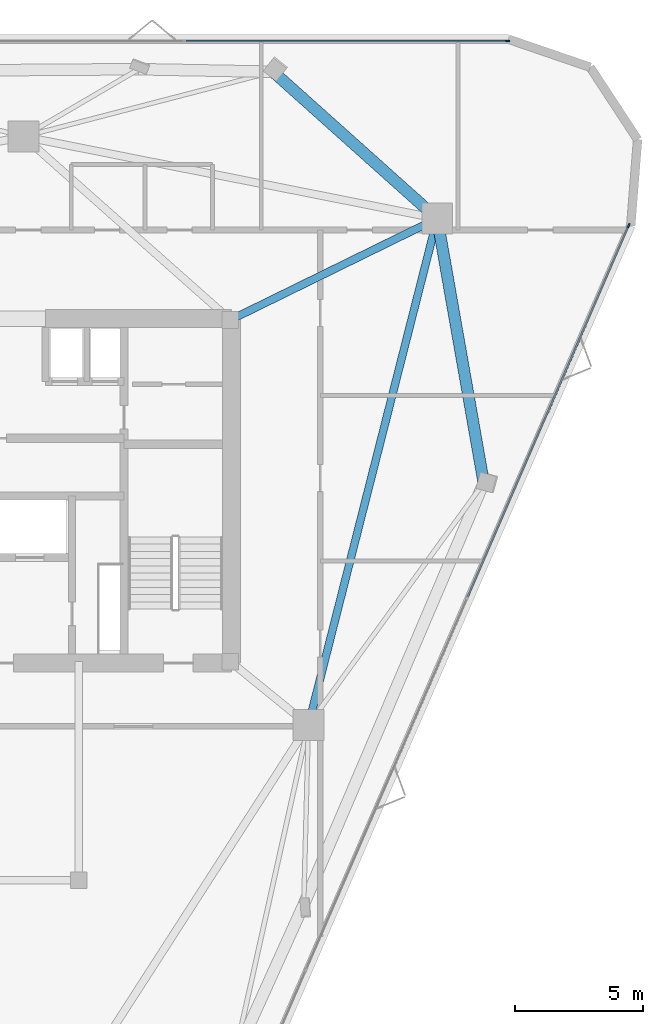
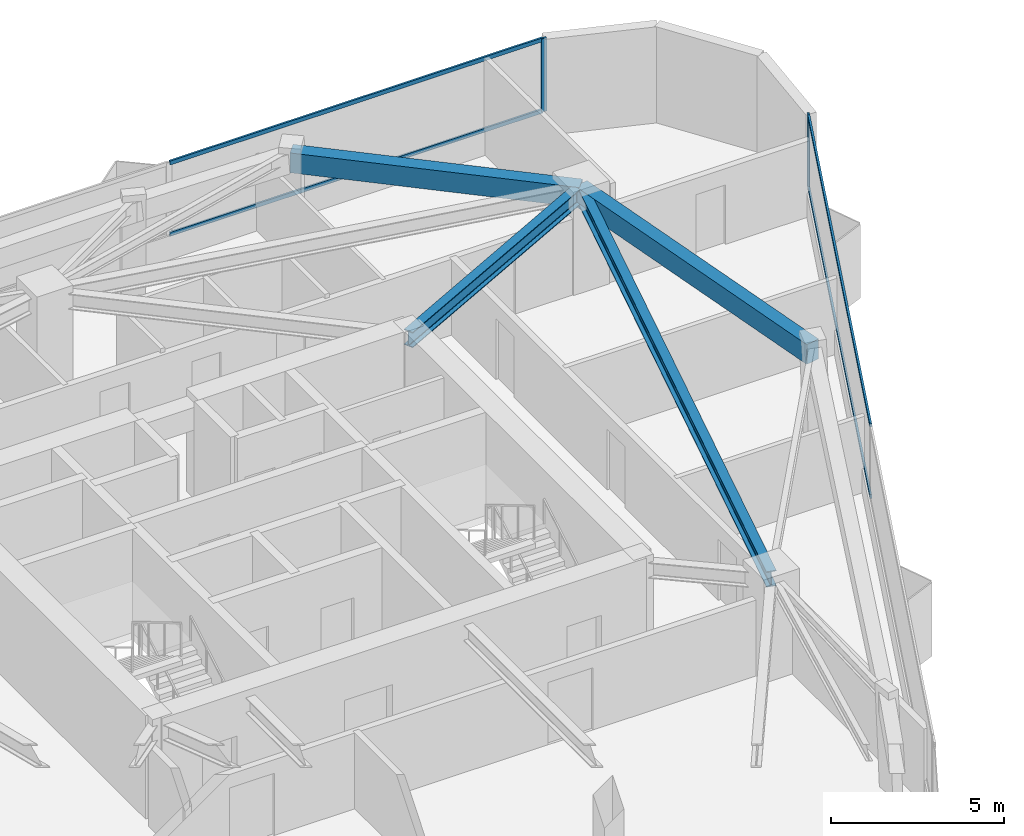
# One storey, part 7 of 11: 6 members, 4 beams, 2 elements without a shape of their own.
"""IFC4 building model written with IfcOpenShell, lengths in metres."""

from ifc_helpers import new_model, si_unit, direction, frame, origin, origin_2d, place, context, subcontext, project, spatial, rectangle, i_section, extrude, material, layer, layer_set, material_profile, profile_set, type_object, element, aggregate, save


model = new_model("IFC4")

# Units and contexts
model_context = context("Model", 3, precision=1e-05, world=origin(), true_north=direction((0.0, 1.0)))
body_context = subcontext(model_context, "Body", "Model", "MODEL_VIEW")
ifc_project = project(units=[si_unit("LENGTHUNIT", "METRE"), si_unit("AREAUNIT", "SQUARE_METRE"), si_unit("VOLUMEUNIT", "CUBIC_METRE"), si_unit("PLANEANGLEUNIT", "RADIAN"), si_unit("MASSUNIT", "GRAM", prefix="KILO")], contexts=[model_context])

# Site, building, storey
site_placement = place(None, origin())
site = spatial("IfcSite", under=ifc_project, at=site_placement, CompositionType="ELEMENT")
building_placement = place(site_placement, origin())
building = spatial("IfcBuilding", under=site, at=building_placement, Name="Talyreon Biosciences Tower", CompositionType="ELEMENT")
storey_placement = place(building_placement, frame((0.0, 0.0, 238.89990234375)))
storey = spatial("IfcBuildingStorey", under=building, at=storey_placement, Name="L63", CompositionType="ELEMENT", Elevation=238.89990234375)

# Curtain wall, member
ifc_material_1 = material(Name="Thermally broken aluminium and low-E glazing", Category="aluminium")
ifc_layer = layer(ifc_material_1, 0.175048828125)
ifc_layer_set = layer_set([ifc_layer], Name="Thermally broken aluminium and low-E glazing")
curtain_wall_type = type_object("IfcCurtainWallType", Name="CurtainWall_Zone5CompLab", PredefinedType="NOTDEFINED", material=ifc_layer_set)
curtain_wall_1_placement = place(storey_placement, origin())
curtain_wall_1 = element("IfcCurtainWall", 1, at=curtain_wall_1_placement, inside=storey, type_object=curtain_wall_type, Name="L63 Unitised Curtain Wall FCW-L63-04", PredefinedType="NOTDEFINED")
ifc_material_2 = material(Name="Anodised thermally broken aluminium", Category="aluminium")
ifc_material_profile_1 = material_profile(ifc_material_2, rectangle(XDim=0.06494140625, YDim=0.179931640625, at=origin_2d()), Name="ALUM MULLION 65x180")
ifc_profile_set_1 = profile_set([ifc_material_profile_1], Name="Anodised thermally broken aluminium")
member_type_1 = type_object("IfcMemberType", Name="CWMullion_65x180", PredefinedType="MULLION", material=ifc_profile_set_1)
member_1_placement = place(storey_placement, frame((84.836669921875, 85.504638671875, 0.81005859375), z_axis=(0.0, 0.0, 1.0), x_axis=(0.0, 1.0, 0.0)))
member_1 = element("IfcMember", 2, at=member_1_placement, type_object=member_type_1, Name="CW6 mullion 4", PredefinedType="MULLION", context=body_context, shape_type="SweptSolid", body=[
    extrude(rectangle(XDim=0.06494140625, YDim=0.179931640625, at=origin_2d()), origin(), (0.0, 0.0, 1.0), 2.590087890625),
])

curtain_wall_2_placement = place(storey_placement, origin())
curtain_wall_2 = element("IfcCurtainWall", 3, at=curtain_wall_2_placement, inside=storey, type_object=curtain_wall_type, Name="L63 Unitised Curtain Wall FCW-L63-08", PredefinedType="NOTDEFINED")
member_2_placement = place(storey_placement, frame((89.5537109375, 78.31787109375, 0.81005859375), z_axis=(0.0, 0.0, 1.0), x_axis=(0.917458244079, -0.397832088162, 0.0)))
member_2 = element("IfcMember", 4, at=member_2_placement, type_object=member_type_1, Name="CW6 mullion 1", PredefinedType="MULLION", context=body_context, shape_type="SweptSolid", body=[
    extrude(rectangle(XDim=0.06494140625, YDim=0.179931640625, at=origin_2d()), origin(), (0.0, 0.0, 1.0), 2.590087890625),
])

# Member
ifc_material_profile_2 = material_profile(ifc_material_2, rectangle(XDim=0.06494140625, YDim=0.139892578125, at=origin_2d()), Name="ALUM TRANSOM 65x140")
ifc_profile_set_2 = profile_set([ifc_material_profile_2], Name="Anodised thermally broken aluminium")
member_type_2 = type_object("IfcMemberType", Name="CWTransom_65x140", PredefinedType="USERDEFINED", material=ifc_profile_set_2)
member_3_placement = place(storey_placement, frame((72.322265625, 85.504638671875, 0.842529296875), z_axis=(1.0, 0.0, 0.0), x_axis=(0.0, 1.0, 0.0)))
member_3 = element("IfcMember", 5, at=member_3_placement, type_object=member_type_2, Name="CW6 transom 3.1", ObjectType="TRANSOM", PredefinedType="USERDEFINED", context=body_context, shape_type="SweptSolid", body=[
    extrude(rectangle(XDim=0.06494140625, YDim=0.139892578125, at=origin_2d()), origin(), (0.0, 0.0, 1.0), 12.48193359375),
])

member_4_placement = place(storey_placement, frame((72.322265625, 85.504638671875, 3.36767578125), z_axis=(1.0, 0.0, 0.0), x_axis=(0.0, 1.0, 0.0)))
member_4 = element("IfcMember", 6, at=member_4_placement, type_object=member_type_2, Name="CW6 transom 3.2", ObjectType="TRANSOM", PredefinedType="USERDEFINED", context=body_context, shape_type="SweptSolid", body=[
    extrude(rectangle(XDim=0.06494140625, YDim=0.139892578125, at=origin_2d()), origin(), (0.0, 0.0, 1.0), 12.48193359375),
])

aggregate(curtain_wall_1, [member_1, member_3, member_4])

member_5_placement = place(storey_placement, frame((89.540771484375, 78.2880859375, 0.842529296875), z_axis=(-0.397835044798, -0.917456962004, 0.0), x_axis=(0.917456962004, -0.397835044798, 0.0)))
member_5 = element("IfcMember", 7, at=member_5_placement, type_object=member_type_2, Name="CW6 transom 1.1", ObjectType="TRANSOM", PredefinedType="USERDEFINED", context=body_context, shape_type="SweptSolid", body=[
    extrude(rectangle(XDim=0.06494140625, YDim=0.139892578125, at=origin_2d()), origin(), (0.0, 0.0, 1.0), 15.71240234375),
])

member_6_placement = place(storey_placement, frame((89.540771484375, 78.2880859375, 3.36767578125), z_axis=(-0.397835044798, -0.917456962004, 0.0), x_axis=(0.917456962004, -0.397835044798, 0.0)))
member_6 = element("IfcMember", 8, at=member_6_placement, type_object=member_type_2, Name="CW6 transom 1.2", ObjectType="TRANSOM", PredefinedType="USERDEFINED", context=body_context, shape_type="SweptSolid", body=[
    extrude(rectangle(XDim=0.06494140625, YDim=0.139892578125, at=origin_2d()), origin(), (0.0, 0.0, 1.0), 15.71240234375),
])

aggregate(curtain_wall_2, [member_2, member_5, member_6])

# Beams
ifc_material_3 = material(Name="Precast concrete C45/55", Category="concrete")
ifc_material_profile_3 = material_profile(ifc_material_3, rectangle(XDim=0.449951171875, YDim=0.699951171875, at=origin_2d()), Name="RCB 450x700")
ifc_profile_set_3 = profile_set([ifc_material_profile_3], Name="Precast concrete C45/55")
beam_type_1 = type_object("IfcBeamType", Name="ExpressedSpandrel_450x700", PredefinedType="SPANDREL", material=ifc_profile_set_3)
beam_1_placement = place(storey_placement, frame((83.913330078125, 68.309326171875, 3.050048828125), z_axis=(-0.173346728038, 0.984860859146, 0.0), x_axis=(-0.984860859146, -0.173346728038, 0.0)))
element("IfcBeam", 9, at=beam_1_placement, inside=storey, type_object=beam_type_1, Name="L63 Expressed Horizontal Concrete Spandrel 04", PredefinedType="SPANDREL", context=body_context, shape_type="SweptSolid", body=[
    extrude(rectangle(XDim=0.449951171875, YDim=0.699951171875, at=origin_2d()), origin(), (0.0, 0.0, 1.0), 10.447509765625),
])
beam_2_placement = place(storey_placement, frame((82.102294921875, 78.5986328125, 3.050048828125), z_axis=(-0.745350074174, 0.666673283497, 0.0), x_axis=(-0.666673283497, -0.745350074174, 0.0)))
element("IfcBeam", 10, at=beam_2_placement, inside=storey, type_object=beam_type_1, Name="L63 Expressed Horizontal Concrete Spandrel 05", PredefinedType="SPANDREL", context=body_context, shape_type="SweptSolid", body=[
    extrude(rectangle(XDim=0.449951171875, YDim=0.699951171875, at=origin_2d()), origin(), (0.0, 0.0, 1.0), 8.57080078125),
])
ifc_material_4 = material(Name="Steel SM355", Category="steel")
ifc_material_profile_4 = material_profile(ifc_material_4, i_section(OverallWidth=0.300048828125, OverallDepth=0.550048828125, WebThickness=0.014892578125, FlangeThickness=0.029052734375, FilletRadius=0.027099609375, at=origin_2d()), Name="HE550B")
ifc_profile_set_4 = profile_set([ifc_material_profile_4], Name="Steel SM355")
beam_type_2 = type_object("IfcBeamType", Name="SteelBeam_HE550B", PredefinedType="BEAM", material=ifc_profile_set_4)
beam_3_placement = place(storey_placement, frame((77.086181640625, 58.88037109375, 3.125), z_axis=(0.246537082299, 0.969133358755, 0.0), x_axis=(-0.969133358755, 0.246537082299, 0.0)))
element("IfcBeam", 11, at=beam_3_placement, inside=storey, type_object=beam_type_2, Name="L63 Mega-Ring Girder 2", PredefinedType="BEAM", context=body_context, shape_type="SweptSolid", body=[
    extrude(i_section(OverallWidth=0.300048828125, OverallDepth=0.550048828125, WebThickness=0.014892578125, FlangeThickness=0.029052734375, FilletRadius=0.027099609375, at=origin_2d()), origin(), (0.0, 0.0, 1.0), 20.34619140625),
])
beam_4_placement = place(storey_placement, frame((74.050048828125, 74.64990234375, 3.125), z_axis=(0.897852360314, 0.440296648952, 0.0), x_axis=(-0.440296648952, 0.897852360314, 0.0)))
element("IfcBeam", 12, at=beam_4_placement, inside=storey, type_object=beam_type_2, Name="L63 Radial Primary Girder 3", PredefinedType="BEAM", context=body_context, shape_type="SweptSolid", body=[
    extrude(i_section(OverallWidth=0.300048828125, OverallDepth=0.550048828125, WebThickness=0.014892578125, FlangeThickness=0.029052734375, FilletRadius=0.027099609375, at=origin_2d()), origin(), (0.0, 0.0, 1.0), 8.96826171875),
])

save(model, "model.ifc")
